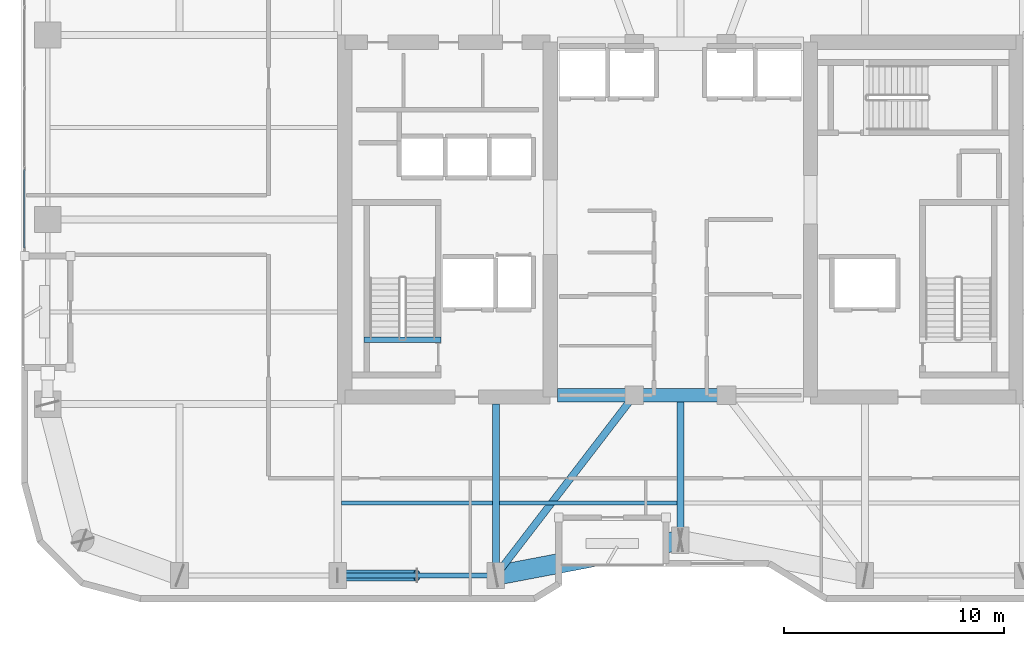
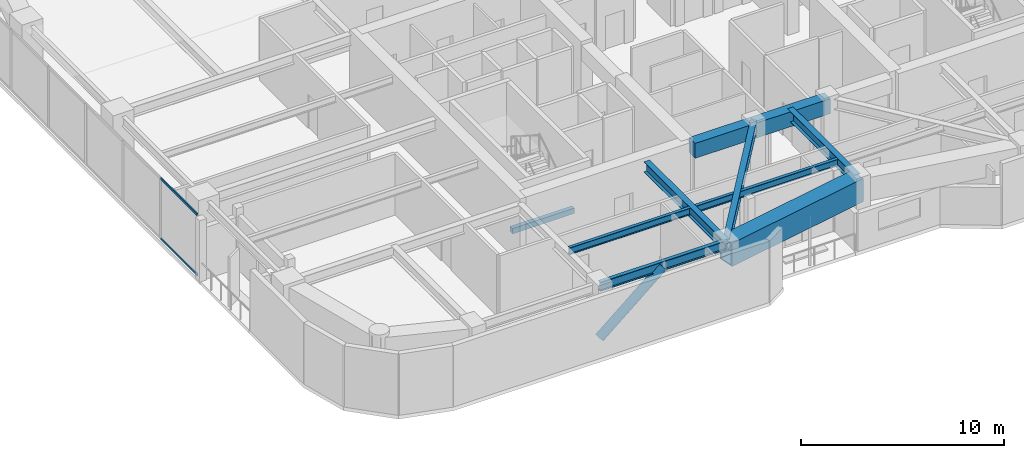
# One storey, part 3 of 30: 10 beams, 3 members, 1 element without a shape of its own.
"""IFC4 building model written with IfcOpenShell, lengths in metres."""

from ifc_helpers import new_model, si_unit, direction, frame, origin, origin_2d, place, context, subcontext, project, spatial, rectangle, hollow_rectangle, hollow_circle, i_section, extrude, material, layer, layer_set, material_profile, profile_set, type_object, element, aggregate, save


model = new_model("IFC4")

# Units and contexts
model_context = context("Model", 3, precision=1e-05, world=origin(), true_north=direction((0.0, 1.0)))
body_context = subcontext(model_context, "Body", "Model", "MODEL_VIEW")
ifc_project = project(units=[si_unit("LENGTHUNIT", "METRE"), si_unit("AREAUNIT", "SQUARE_METRE"), si_unit("VOLUMEUNIT", "CUBIC_METRE"), si_unit("PLANEANGLEUNIT", "RADIAN"), si_unit("MASSUNIT", "GRAM", prefix="KILO")], contexts=[model_context])

# Site, building, storey
site_placement = place(None, origin())
site = spatial("IfcSite", under=ifc_project, at=site_placement, CompositionType="ELEMENT")
building_placement = place(site_placement, origin())
building = spatial("IfcBuilding", under=site, at=building_placement, Name="Kiyonajd Concourse Tower", CompositionType="ELEMENT")
storey_placement = place(building_placement, frame((0.0, 0.0, 190.199951171875)))
storey = spatial("IfcBuildingStorey", under=building, at=storey_placement, Name="L48", CompositionType="ELEMENT", Elevation=190.199951171875)

# Beams
ifc_material_1 = material(Name="Concrete C60/75", Category="concrete")
ifc_material_profile_1 = material_profile(ifc_material_1, rectangle(XDim=0.60009765625, YDim=0.89990234375, at=origin_2d()), Name="RCBM-600x900")
ifc_profile_set_1 = profile_set([ifc_material_profile_1], Name="Concrete C60/75")
beam_type_1 = type_object("IfcBeamType", Name="BM-COUP-900", PredefinedType="LINTEL", material=ifc_profile_set_1)
beam_1_placement = place(storey_placement, frame((42.39990234375, 28.0, 3.22998046875), z_axis=(1.0, 0.0, 0.0), x_axis=(0.0, 1.0, 0.0)))
element("IfcBeam", 1, at=beam_1_placement, inside=storey, type_object=beam_type_1, Name="L48 Core Coupling Beam S1", PredefinedType="LINTEL", context=body_context, shape_type="SweptSolid", body=[
    extrude(rectangle(XDim=0.60009765625, YDim=0.89990234375, at=origin_2d()), origin(), (0.0, 0.0, 1.0), 3.5),
])
beam_2_placement = place(storey_placement, frame((45.89990234375, 28.0, 3.22998046875), z_axis=(1.0, 0.0, 0.0), x_axis=(0.0, 1.0, 0.0)))
element("IfcBeam", 2, at=beam_2_placement, inside=storey, type_object=beam_type_1, Name="L48 Core Coupling Beam S2", PredefinedType="LINTEL", context=body_context, shape_type="SweptSolid", body=[
    extrude(rectangle(XDim=0.60009765625, YDim=0.89990234375, at=origin_2d()), origin(), (0.0, 0.0, 1.0), 4.2001953125),
])
ifc_material_2 = material(Name="Steel ASTM A992 Grade 50", Category="steel")
ifc_material_profile_2 = material_profile(ifc_material_2, i_section(OverallWidth=0.180908203125, OverallDepth=0.4169921875, WebThickness=0.010986328125, FlangeThickness=0.018310546875, at=origin_2d()), Name="W410X85")
ifc_profile_set_2 = profile_set([ifc_material_profile_2], Name="Steel ASTM A992 Grade 50")
beam_type_2 = type_object("IfcBeamType", Name="BM-JST-410", PredefinedType="JOIST", material=ifc_profile_set_2)
beam_3_placement = place(storey_placement, frame((32.5634765625, 23.10009765625, 3.471435546875), z_axis=(1.0, 0.0, 0.0), x_axis=(0.0, 1.0, 0.0)))
element("IfcBeam", 3, at=beam_3_placement, inside=storey, type_object=beam_type_2, Name="L48 Secondary Floor Joist", PredefinedType="JOIST", context=body_context, shape_type="SweptSolid", body=[
    extrude(i_section(OverallWidth=0.180908203125, OverallDepth=0.4169921875, WebThickness=0.010986328125, FlangeThickness=0.018310546875, at=origin_2d()), origin(), (0.0, 0.0, 1.0), 6.873046875),
])
beam_4_placement = place(storey_placement, frame((39.763427734375, 23.10009765625, 3.471435546875), z_axis=(1.0, 0.0, 0.0), x_axis=(0.0, 1.0, 0.0)))
element("IfcBeam", 4, at=beam_4_placement, inside=storey, type_object=beam_type_2, Name="L48 Secondary Floor Joist", PredefinedType="JOIST", context=body_context, shape_type="SweptSolid", body=[
    extrude(i_section(OverallWidth=0.180908203125, OverallDepth=0.4169921875, WebThickness=0.010986328125, FlangeThickness=0.018310546875, at=origin_2d()), origin(), (0.0, 0.0, 1.0), 8.072998046875),
])
ifc_material_3 = material(Name="Concrete C50/60", Category="concrete")
ifc_material_profile_3 = material_profile(ifc_material_3, rectangle(XDim=0.239990234375, YDim=0.320068359375, at=origin_2d()), Name="RCBM-240x320")
ifc_profile_set_3 = profile_set([ifc_material_profile_3], Name="Concrete C50/60")
beam_type_3 = type_object("IfcBeamType", Name="BM-LNT-250", PredefinedType="LINTEL", material=ifc_profile_set_3)
beam_5_placement = place(storey_placement, frame((33.590087890625, 30.530029296875, -0.159912109375), z_axis=(1.0, 0.0, 0.0), x_axis=(0.0, 1.0, 0.0)))
element("IfcBeam", 5, at=beam_5_placement, inside=storey, type_object=beam_type_3, Name="L48 Stair ST1 Threshold Support Beam", PredefinedType="LINTEL", context=body_context, shape_type="SweptSolid", body=[
    extrude(rectangle(XDim=0.239990234375, YDim=0.320068359375, at=origin_2d()), origin(), (0.0, 0.0, 1.0), 3.52001953125),
])
ifc_material_profile_4 = material_profile(ifc_material_2, i_section(OverallWidth=0.214111328125, OverallDepth=0.549072265625, WebThickness=0.0146484375, FlangeThickness=0.023681640625, at=origin_2d()), Name="W530X138")
ifc_profile_set_4 = profile_set([ifc_material_profile_4], Name="Steel ASTM A992 Grade 50")
beam_type_4 = type_object("IfcBeamType", Name="BM-SPAN-530A", PredefinedType="SPANDREL", material=ifc_profile_set_4)
beam_6_placement = place(storey_placement, frame((32.39990234375, 19.800048828125, 3.405517578125), z_axis=(1.0, 0.0, 0.0), x_axis=(0.0, 1.0, 0.0)))
element("IfcBeam", 6, at=beam_6_placement, inside=storey, type_object=beam_type_4, Name="L48 Perimeter Bundled Tube Spandrel", PredefinedType="SPANDREL", context=body_context, shape_type="SweptSolid", body=[
    extrude(i_section(OverallWidth=0.214111328125, OverallDepth=0.549072265625, WebThickness=0.0146484375, FlangeThickness=0.023681640625, at=origin_2d()), origin(), (0.0, 0.0, 1.0), 7.2001953125),
])
ifc_material_profile_5 = material_profile(ifc_material_2, i_section(OverallWidth=0.326904296875, OverallDepth=0.6220703125, WebThickness=0.015380859375, FlangeThickness=0.0244140625, at=origin_2d()), Name="W610X195")
ifc_profile_set_5 = profile_set([ifc_material_profile_5], Name="Steel ASTM A992 Grade 50")
beam_type_5 = type_object("IfcBeamType", Name="BM-TWR-610A", PredefinedType="BEAM", material=ifc_profile_set_5)
beam_7_placement = place(storey_placement, frame((39.60009765625, 19.800048828125, 3.369140625), z_axis=(0.609233709922, 0.792990722956, 0.0), x_axis=(-0.792990722956, 0.609233709922, 0.0)))
element("IfcBeam", 7, at=beam_7_placement, inside=storey, type_object=beam_type_5, Name="L48 Core Tie Girder", PredefinedType="BEAM", context=body_context, shape_type="SweptSolid", body=[
    extrude(i_section(OverallWidth=0.326904296875, OverallDepth=0.6220703125, WebThickness=0.015380859375, FlangeThickness=0.0244140625, at=origin_2d()), origin(), (0.0, 0.0, 1.0), 10.340576171875),
])
beam_8_placement = place(storey_placement, frame((39.60009765625, 19.800048828125, 3.369140625), z_axis=(0.0, 1.0, 0.0), x_axis=(-1.0, 0.0, 0.0)))
element("IfcBeam", 8, at=beam_8_placement, inside=storey, type_object=beam_type_5, Name="L48 South Lease Girder", PredefinedType="BEAM", context=body_context, shape_type="SweptSolid", body=[
    extrude(i_section(OverallWidth=0.326904296875, OverallDepth=0.6220703125, WebThickness=0.015380859375, FlangeThickness=0.0244140625, at=origin_2d()), origin(), (0.0, 0.0, 1.0), 7.800048828125),
])
beam_9_placement = place(storey_placement, frame((48.0, 21.39990234375, 3.369140625), z_axis=(0.0, 1.0, 0.0), x_axis=(-1.0, 0.0, 0.0)))
element("IfcBeam", 9, at=beam_9_placement, inside=storey, type_object=beam_type_5, Name="L48 South Ribbon Girder", PredefinedType="BEAM", context=body_context, shape_type="SweptSolid", body=[
    extrude(i_section(OverallWidth=0.326904296875, OverallDepth=0.6220703125, WebThickness=0.015380859375, FlangeThickness=0.0244140625, at=origin_2d()), origin(), (0.0, 0.0, 1.0), 6.60009765625),
])
ifc_material_4 = material(Name="Steel ASTM A572 Grade 50", Category="steel")
ifc_material_profile_6 = material_profile(ifc_material_4, hollow_rectangle(XDim=0.89990234375, YDim=1.39990234375, WallThickness=0.070068359375, at=origin_2d()), Name="BOX-1400x900x70")
ifc_profile_set_6 = profile_set([ifc_material_profile_6], Name="Steel ASTM A572 Grade 50")
beam_type_6 = type_object("IfcBeamType", Name="BM-XFER-1400", PredefinedType="BEAM", material=ifc_profile_set_6)
beam_10_placement = place(storey_placement, frame((39.60009765625, 19.800048828125, 2.97998046875), z_axis=(0.982341315253, 0.187097675953, 0.0), x_axis=(-0.187097675953, 0.982341315253, 0.0)))
element("IfcBeam", 10, at=beam_10_placement, inside=storey, type_object=beam_type_6, Name="L48 Perimeter Bundled Tube Spandrel", PredefinedType="BEAM", context=body_context, shape_type="SweptSolid", body=[
    extrude(hollow_rectangle(XDim=0.89990234375, YDim=1.39990234375, WallThickness=0.070068359375, at=origin_2d()), origin(), (0.0, 0.0, 1.0), 8.55078125),
])

# Curtain wall, members
ifc_material_5 = material(Name="Thermally Broken Anodised Aluminium", Category="aluminium")
ifc_layer = layer(ifc_material_5, 0.179931640625)
ifc_layer_set = layer_set([ifc_layer], Name="Thermally Broken Anodised Aluminium")
curtain_wall_type = type_object("IfcCurtainWallType", Name="CW-SYS-03", PredefinedType="NOTDEFINED", material=ifc_layer_set)
curtain_wall_placement = place(storey_placement, origin())
curtain_wall = element("IfcCurtainWall", 11, at=curtain_wall_placement, inside=storey, type_object=curtain_wall_type, Name="L48 Unitised Curtain Wall CW3", PredefinedType="NOTDEFINED")
ifc_material_profile_7 = material_profile(ifc_material_5, hollow_rectangle(XDim=0.06494140625, YDim=0.139892578125, WallThickness=0.00390625, at=origin_2d()), Name="TRAN-65x140")
ifc_profile_set_7 = profile_set([ifc_material_profile_7], Name="Thermally Broken Anodised Aluminium")
member_type_1 = type_object("IfcMemberType", Name="MB-CW-TRAN1", PredefinedType="USERDEFINED", material=ifc_profile_set_7)
member_1_placement = place(storey_placement, frame((18.139892578125, 34.695068359375, 0.032470703125), z_axis=(0.0, 1.0, 0.0), x_axis=(-1.0, 0.0, 0.0)))
member_1 = element("IfcMember", 12, at=member_1_placement, type_object=member_type_1, Name="CW3 transom 1.1", ObjectType="TRANSOM", PredefinedType="USERDEFINED", context=body_context, shape_type="SweptSolid", body=[
    extrude(hollow_rectangle(XDim=0.06494140625, YDim=0.139892578125, WallThickness=0.00390625, at=origin_2d()), origin(), (0.0, 0.0, 1.0), 3.579345703125),
])
member_2_placement = place(storey_placement, frame((18.139892578125, 34.695068359375, 3.6474609375), z_axis=(0.0, 1.0, 0.0), x_axis=(-1.0, 0.0, 0.0)))
member_2 = element("IfcMember", 13, at=member_2_placement, type_object=member_type_1, Name="CW3 transom 1.2", ObjectType="TRANSOM", PredefinedType="USERDEFINED", context=body_context, shape_type="SweptSolid", body=[
    extrude(hollow_rectangle(XDim=0.06494140625, YDim=0.139892578125, WallThickness=0.00390625, at=origin_2d()), origin(), (0.0, 0.0, 1.0), 3.579345703125),
])
aggregate(curtain_wall, [member_1, member_2])

# Member
ifc_material_6 = material(Name="Steel ASTM A500 Grade C", Category="steel")
ifc_material_profile_8 = material_profile(ifc_material_6, hollow_circle(Radius=0.25390625, WallThickness=0.02197265625, at=origin_2d()), Name="CHS-508x22")
ifc_profile_set_8 = profile_set([ifc_material_profile_8], Name="Steel ASTM A500 Grade C")
member_type_2 = type_object("IfcMemberType", Name="MB-PB-MID", PredefinedType="BRACE", material=ifc_profile_set_8)
member_3_placement = place(storey_placement, frame((32.39990234375, 19.800048828125, 0.300048828125), z_axis=(0.765082043761, 0.0, 0.643932811957), x_axis=(0.0, 1.0, 0.0)))
element("IfcMember", 14, at=member_3_placement, inside=storey, type_object=member_type_2, Name="L48 Upper Zone Hollow Tube Brace PBS", PredefinedType="BRACE", context=body_context, shape_type="SweptSolid", body=[
    extrude(hollow_circle(Radius=0.25390625, WallThickness=0.02197265625, at=origin_2d()), origin(), (0.0, 0.0, 1.0), 4.70556640625),
])

save(model, "model.ifc")
